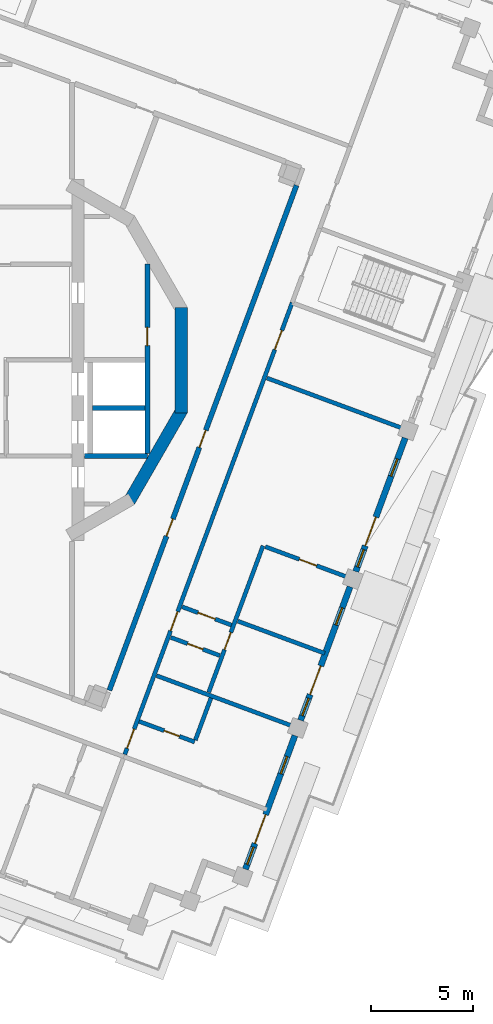
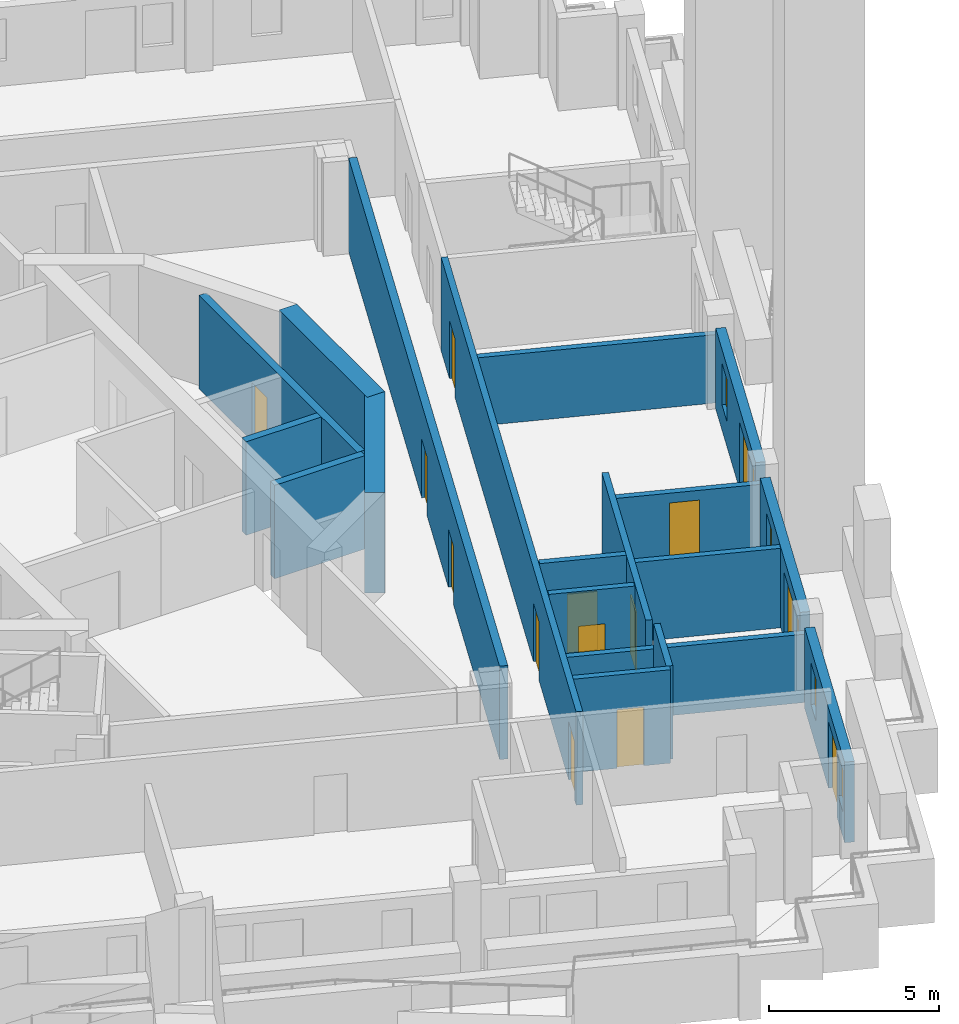
# One storey, part 5 of 20: 19 walls, 14 doors, 6 windows, 20 openings.
"""IFC4 building model written with IfcOpenShell, lengths in metres."""

import ifcopenshell
import ifcopenshell.guid

model = None  # the IFC model being written
_history = None  # IfcOwnerHistory: only IFC2X3 demands one
_inside = {}  # id of a spatial element -> (the spatial element, [elements in it])
_under = {}  # id of a project, library or spatial element -> (it, [spatial elements below it])
_declared = {}  # id of a project -> (the project, [libraries it declares])
_typed = {}  # id of a type object -> (the type object, [elements of that type])
_made_of = {}  # id of a material, layer set ... -> (it, [elements and type objects made of it])


def new_model(schema):
    """Start an empty IFC model of exactly this schema.

    Asked for "IFC4X3", IfcOpenShell would pick the latest addendum, in which some entities
    have other attributes; the version numbers below select the first issue.
    IFC2X3 requires an IfcOwnerHistory on every rooted entity: one is made here for all.
    """
    global model, _history
    if schema == "IFC4X3":
        model = ifcopenshell.file(schema_version=(4, 3, 0, 0))
    else:
        model = ifcopenshell.file(schema=schema)
    _inside.clear()
    _under.clear()
    _declared.clear()
    _typed.clear()
    _made_of.clear()
    _history = None
    if model.schema == "IFC2X3":
        org = make("IfcOrganization", Name="unknown")
        user = make(
            "IfcPersonAndOrganization",
            ThePerson=make("IfcPerson", FamilyName="unknown"),
            TheOrganization=org,
        )
        app = make(
            "IfcApplication",
            ApplicationDeveloper=org,
            Version="unknown",
            ApplicationFullName="unknown",
            ApplicationIdentifier="unknown",
        )
        _history = make(
            "IfcOwnerHistory",
            OwningUser=user,
            OwningApplication=app,
            ChangeAction="ADDED",
            CreationDate=0,
        )
    return model


def make(cls, **values):
    """One entity of the class cls with the attributes given. An attribute that is None is left unset."""
    return model.create_entity(
        cls, **{name: value for name, value in values.items() if value is not None}
    )


def rooted(cls, **values):
    """An entity with a GlobalId (a new one), such as an element, a storey or a relation."""
    return make(cls, GlobalId=ifcopenshell.guid.new(), OwnerHistory=_history, **values)


def si_unit(unit_type, name, prefix=None):
    """IfcSIUnit, for example si_unit("LENGTHUNIT", "METRE", prefix="MILLI")."""
    return make("IfcSIUnit", UnitType=unit_type, Prefix=prefix, Name=name)


def assignment(units):
    """IfcUnitAssignment: the units of a project."""
    return None if units is None else make("IfcUnitAssignment", Units=units)


def point(xyz):
    """IfcCartesianPoint."""
    return None if xyz is None else make("IfcCartesianPoint", Coordinates=xyz)


def direction(xyz):
    """IfcDirection."""
    return None if xyz is None else make("IfcDirection", DirectionRatios=xyz)


def frame(location, z_axis=None, x_axis=None):
    """IfcAxis2Placement3D, a coordinate frame: its origin and axes. An axis left out is left unset."""
    return make(
        "IfcAxis2Placement3D",
        Location=point(location),
        Axis=direction(z_axis),
        RefDirection=direction(x_axis),
    )


def frame_2d(location, x_axis=None):
    """IfcAxis2Placement2D, a coordinate frame in the plane: its origin and x axis."""
    return make(
        "IfcAxis2Placement2D", Location=point(location), RefDirection=direction(x_axis)
    )


def origin():
    """The frame at (0, 0, 0) with its axes left unset."""
    return frame((0.0, 0.0, 0.0))


def place(relative_to, where):
    """IfcLocalPlacement: puts the frame where relative to a parent placement (None: the world)."""
    return make(
        "IfcLocalPlacement", PlacementRelTo=relative_to, RelativePlacement=where
    )


def context(
    kind, dimensions, precision=None, world=None, true_north=None, identifier=None
):
    """IfcGeometricRepresentationContext, for example the 3D "Model" context."""
    return make(
        "IfcGeometricRepresentationContext",
        ContextIdentifier=identifier,
        ContextType=kind,
        CoordinateSpaceDimension=dimensions,
        Precision=precision,
        WorldCoordinateSystem=world,
        TrueNorth=true_north,
    )


def subcontext(parent, identifier, kind, view, scale=None):
    """IfcGeometricRepresentationSubContext, for example "Body" below "Model"."""
    return make(
        "IfcGeometricRepresentationSubContext",
        ContextIdentifier=identifier,
        ContextType=kind,
        ParentContext=parent,
        TargetScale=scale,
        TargetView=view,
    )


def project(units=None, contexts=None):
    """IfcProject with its units and contexts."""
    return rooted(
        "IfcProject",
        Name="project",
        RepresentationContexts=contexts,
        UnitsInContext=assignment(units),
    )


def spatial(cls, under=None, at=None, **own):
    """A site, building, storey or space (cls), placed at a placement, below another one or the project."""
    s = rooted(cls, ObjectPlacement=at, **own)
    if under is not None:
        _under.setdefault(under.id(), (under, []))[1].append(s)
    return s


def profile(cls, at=None, kind="AREA", **sizes):
    """A parametric profile (cls). Its sizes go by their IFC names, for example OverallWidth=200.0."""
    return make(cls, ProfileType=kind, Position=at, **sizes)


def rectangle(**sizes):
    """IfcRectangleProfileDef."""
    return profile("IfcRectangleProfileDef", **sizes)


def extrude(swept, where, along, depth):
    """IfcExtrudedAreaSolid: the profile swept, set in the frame where, extruded along a direction by depth."""
    return make(
        "IfcExtrudedAreaSolid",
        SweptArea=swept,
        Position=where,
        ExtrudedDirection=direction(along),
        Depth=depth,
    )


def shape(context_of_items, identifier, shape_type, items):
    """IfcShapeRepresentation: the items that make up one representation, for example the "Body"."""
    return make(
        "IfcShapeRepresentation",
        ContextOfItems=context_of_items,
        RepresentationIdentifier=identifier,
        RepresentationType=shape_type,
        Items=items,
    )


def material(Name=None, Category=None):
    """IfcMaterial."""
    return make("IfcMaterial", Name=Name, Category=Category)


def layer(
    of_material, thickness, ventilated=None, Name=None, Category=None, Priority=None
):
    """IfcMaterialLayer: one layer of a wall or slab, of a material (None: an air gap)."""
    return make(
        "IfcMaterialLayer",
        Material=of_material,
        LayerThickness=thickness,
        IsVentilated=ventilated,
        Name=Name,
        Category=Category,
        Priority=Priority,
    )


def layer_set(layers, Name=None):
    """IfcMaterialLayerSet."""
    return make("IfcMaterialLayerSet", MaterialLayers=layers, LayerSetName=Name)


def made_of(thing, what):
    """Note that an element or type object is made of a material, layer set ...; save() writes the relation."""
    if what is not None:
        _made_of.setdefault(what.id(), (what, []))[1].append(thing)
    return thing


def type_object(cls, material=None, **own):
    """A type object (cls), such as IfcWallType, which elements share."""
    return made_of(rooted(cls, **own), material)


def element(
    cls,
    number,
    at=None,
    inside=None,
    cuts=None,
    type_object=None,
    material=None,
    context=None,
    identifier="Body",
    shape_type=None,
    held_by="IfcProductDefinitionShape",
    body=None,
    shapes=None,
    **own,
):
    """One element of the class cls, such as IfcWall. Its Tag is "e" and its number.

    at: its placement. inside: the storey or other place that contains it. cuts: it is an
    opening in that element (IfcRelVoidsElement). A single representation is given by context,
    identifier, shape_type and body (its items); several are given by shapes. held_by: the class
    of the entity that holds the representations. save() writes the other relations.
    """
    e = rooted(cls, Tag="e%d" % number, ObjectPlacement=at, **own)
    if body is not None:
        shapes = [shape(context, identifier, shape_type, body)]
    if shapes is not None:
        e.Representation = make(held_by, Representations=shapes)
    if inside is not None:
        _inside.setdefault(inside.id(), (inside, []))[1].append(e)
    if cuts is not None:
        rooted(
            "IfcRelVoidsElement", RelatingBuildingElement=cuts, RelatedOpeningElement=e
        )
    if type_object is not None:
        _typed.setdefault(type_object.id(), (type_object, []))[1].append(e)
    return made_of(e, material)


def fill(opening, filler):
    """IfcRelFillsElement: the door or window that sits in an opening."""
    return rooted(
        "IfcRelFillsElement",
        RelatingOpeningElement=opening,
        RelatedBuildingElement=filler,
    )


def aggregate(whole, parts):
    """IfcRelAggregates: a whole, such as a stair, and the parts it consists of."""
    return rooted("IfcRelAggregates", RelatingObject=whole, RelatedObjects=parts)


def save(model, path):
    """Write the relations noted so far, then the file.

    IfcRelAggregates (storeys below a building ...), IfcRelContainedInSpatialStructure (elements
    in a storey), IfcRelDefinesByType, IfcRelAssociatesMaterial and IfcRelDeclares: one each for
    every whole, place, type object, material and project.
    """
    for whole, parts in _under.values():
        aggregate(whole, parts)
    for where, things in _inside.values():
        rooted(
            "IfcRelContainedInSpatialStructure",
            RelatedElements=things,
            RelatingStructure=where,
        )
    for kind, things in _typed.values():
        rooted("IfcRelDefinesByType", RelatedObjects=things, RelatingType=kind)
    for what, things in _made_of.values():
        rooted("IfcRelAssociatesMaterial", RelatedObjects=things, RelatingMaterial=what)
    for by, libraries in _declared.values():
        rooted("IfcRelDeclares", RelatingContext=by, RelatedDefinitions=libraries)
    model.write(path)


model = new_model("IFC4")

# Units and contexts
model_context = context("Model", 3, precision=1e-05, world=origin(), true_north=direction((0.0, 1.0)))
body_context = subcontext(model_context, "Body", "Model", "MODEL_VIEW")
ifc_project = project(units=[si_unit("LENGTHUNIT", "METRE"), si_unit("AREAUNIT", "SQUARE_METRE"), si_unit("VOLUMEUNIT", "CUBIC_METRE"), si_unit("PLANEANGLEUNIT", "RADIAN"), si_unit("MASSUNIT", "GRAM", prefix="KILO")], contexts=[model_context])

# Site, building, storey
site_placement = place(None, origin())
site = spatial("IfcSite", under=ifc_project, at=site_placement, CompositionType="ELEMENT")
building_placement = place(site_placement, origin())
building = spatial("IfcBuilding", under=site, at=building_placement, Name="Cantera Rosa Tower", CompositionType="ELEMENT")
storey_placement = place(building_placement, frame((0.0, 0.0, 306.10009765625)))
storey = spatial("IfcBuildingStorey", under=building, at=storey_placement, Name="L67", CompositionType="ELEMENT", Elevation=306.10009765625)

# Wall, openings, doors
ifc_material_1 = material(Name="Gypsum board partition")
ifc_layer_1 = layer(ifc_material_1, 0.199951171875)
ifc_layer_set_1 = layer_set([ifc_layer_1], Name="CORRIDOR WALL 200 H3350")
wall_type_1 = type_object("IfcWallType", Name="CORRIDOR WALL 200 H3350", PredefinedType="PARTITIONING", material=ifc_layer_set_1)
wall_1_placement = place(storey_placement, frame((6.595458984375, -19.326171875, 0.0), z_axis=(0.0, 0.0, 1.0), x_axis=(0.347482068394, 0.937686627901, 0.0)))
wall_1 = element("IfcWall", 1, at=wall_1_placement, inside=storey, type_object=wall_type_1, Name="CORRIDOR WALL L67-078", PredefinedType="PARTITIONING", context=body_context, shape_type="SweptSolid", body=[
    extrude(rectangle(XDim=23.610107421875, YDim=0.199951171875, at=frame_2d((11.80517578125, 0.0))), origin(), (0.0, 0.0, 1.0), 3.349853515625),
])
opening_1_placement = place(wall_1_placement, frame((6.4599609375, 0.0, 0.0)))
opening_1 = element("IfcOpeningElement", 2, at=opening_1_placement, cuts=wall_1, Name="Opening L67-031", PredefinedType="OPENING", context=body_context, shape_type="SweptSolid", body=[
    extrude(rectangle(XDim=1.0, YDim=2.10009765625, at=frame_2d((0.5, 1.050048828125))), frame((0.0, 0.10986328125, 0.0), z_axis=(0.0, -1.0, 0.0), x_axis=(1.0, 0.0, 0.0)), (0.0, 0.0, 1.0), 0.219970703125),
])
opening_2_placement = place(wall_1_placement, frame((21.1650390625, 0.0, 0.0)))
opening_2 = element("IfcOpeningElement", 3, at=opening_2_placement, cuts=wall_1, Name="Opening L67-036", PredefinedType="OPENING", context=body_context, shape_type="SweptSolid", body=[
    extrude(rectangle(XDim=1.0, YDim=2.10009765625, at=frame_2d((0.5, 1.050048828125))), frame((0.0, 0.10986328125, 0.0), z_axis=(0.0, -1.0, 0.0), x_axis=(1.0, 0.0, 0.0)), (0.0, 0.0, 1.0), 0.219970703125),
])
opening_3_placement = place(wall_1_placement, frame((0.320068359375, 0.0, 0.0)))
opening_3 = element("IfcOpeningElement", 4, at=opening_3_placement, cuts=wall_1, Name="Opening L67-037", PredefinedType="OPENING", context=body_context, shape_type="SweptSolid", body=[
    extrude(rectangle(XDim=1.0, YDim=2.10009765625, at=frame_2d((0.5, 1.050048828125))), frame((0.0, 0.10986328125, 0.0), z_axis=(0.0, -1.0, 0.0), x_axis=(1.0, 0.0, 0.0)), (0.0, 0.0, 1.0), 0.219970703125),
])
ifc_material_2 = material(Name="Timber door leaf", Category="wood")
door_type_1 = type_object("IfcDoorType", Name="ENTRANCE DOOR 1000x2100", OperationType="NOTDEFINED", PredefinedType="DOOR", material=ifc_material_2)
door_1_placement = place(opening_1_placement, origin())
door_1 = element("IfcDoor", 5, at=door_1_placement, inside=storey, type_object=door_type_1, Name="DOOR L67-031", OperationType="NOTDEFINED", OverallHeight=2.10009765625, OverallWidth=1.0, PredefinedType="DOOR", context=body_context, shape_type="SweptSolid", body=[
    extrude(rectangle(XDim=1.0, YDim=2.10009765625, at=frame_2d((0.5, 1.050048828125))), frame((0.0, 0.02490234375, 0.0), z_axis=(0.0, -1.0, 0.0), x_axis=(1.0, 0.0, 0.0)), (0.0, 0.0, 1.0), 0.050048828125),
])
fill(opening_1, door_1)
door_2_placement = place(opening_3_placement, origin())
door_2 = element("IfcDoor", 6, at=door_2_placement, inside=storey, type_object=door_type_1, Name="DOOR L67-037", OperationType="NOTDEFINED", OverallHeight=2.10009765625, OverallWidth=1.0, PredefinedType="DOOR", context=body_context, shape_type="SweptSolid", body=[
    extrude(rectangle(XDim=1.0, YDim=2.10009765625, at=frame_2d((0.5, 1.050048828125))), frame((0.0, 0.02490234375, 0.0), z_axis=(0.0, -1.0, 0.0), x_axis=(1.0, 0.0, 0.0)), (0.0, 0.0, 1.0), 0.050048828125),
])
fill(opening_3, door_2)
ifc_material_3 = material(Name="Timber door leaf", Category="wood")
door_type_2 = type_object("IfcDoorType", Name="ROOM DOOR 1000x2100", OperationType="NOTDEFINED", PredefinedType="DOOR", material=ifc_material_3)
door_3_placement = place(opening_2_placement, origin())
door_3 = element("IfcDoor", 7, at=door_3_placement, inside=storey, type_object=door_type_2, Name="DOOR L67-036", OperationType="NOTDEFINED", OverallHeight=2.10009765625, OverallWidth=1.0, PredefinedType="DOOR", context=body_context, shape_type="SweptSolid", body=[
    extrude(rectangle(XDim=1.0, YDim=2.10009765625, at=frame_2d((0.5, 1.050048828125))), frame((0.0, 0.02490234375, 0.0), z_axis=(0.0, -1.0, 0.0), x_axis=(1.0, 0.0, 0.0)), (0.0, 0.0, 1.0), 0.050048828125),
])
fill(opening_2, door_3)

# Wall, openings, windows, door
ifc_material_4 = material(Name="Hollow clay masonry with cantera stone cladding", Category="masonry")
ifc_layer_2 = layer(ifc_material_4, 0.300048828125)
ifc_layer_set_2 = layer_set([ifc_layer_2], Name="EW-LOGGIA 300 H2890")
wall_type_2 = type_object("IfcWallType", Name="EW-LOGGIA 300 H2890", PredefinedType="SOLIDWALL", material=ifc_layer_set_2)
wall_2_placement = place(storey_placement, frame((12.50927734375, -24.95166015625, 0.0), z_axis=(0.0, 0.0, 1.0), x_axis=(0.347490919506, 0.937683347864, 0.0)))
wall_2 = element("IfcWall", 8, at=wall_2_placement, inside=storey, type_object=wall_type_2, Name="EN-L67-W20", PredefinedType="SOLIDWALL", context=body_context, shape_type="SweptSolid", body=[
    extrude(rectangle(XDim=6.980224609375, YDim=0.300048828125, at=frame_2d((3.490234375, 0.0))), origin(), (0.0, 0.0, 1.0), 2.889892578125),
])
opening_4_placement = place(wall_2_placement, frame((0.2451171875, 0.0, 0.89990234375)))
opening_4 = element("IfcOpeningElement", 9, at=opening_4_placement, cuts=wall_2, Name="Opening L67-W34", PredefinedType="OPENING", context=body_context, shape_type="SweptSolid", body=[
    extrude(rectangle(XDim=0.89990234375, YDim=1.5, at=frame_2d((0.449951171875, 0.75))), frame((0.0, 0.159912109375, 0.0), z_axis=(0.0, -1.0, 0.0), x_axis=(1.0, 0.0, 0.0)), (0.0, 0.0, 1.0), 0.320068359375),
])
opening_5_placement = place(wall_2_placement, frame((1.344970703125, 0.0, 0.0)))
opening_5 = element("IfcOpeningElement", 10, at=opening_5_placement, cuts=wall_2, Name="Opening L67-TD35", PredefinedType="OPENING", context=body_context, shape_type="SweptSolid", body=[
    extrude(rectangle(XDim=1.5, YDim=2.39990234375, at=frame_2d((0.75, 1.199951171875))), frame((0.0, 0.159912109375, 0.0), z_axis=(0.0, -1.0, 0.0), x_axis=(1.0, 0.0, 0.0)), (0.0, 0.0, 1.0), 0.320068359375),
])
opening_6_placement = place(wall_2_placement, frame((4.985107421875, 0.0, 0.89990234375)))
opening_6 = element("IfcOpeningElement", 11, at=opening_6_placement, cuts=wall_2, Name="Opening L67-W36", PredefinedType="OPENING", context=body_context, shape_type="SweptSolid", body=[
    extrude(rectangle(XDim=0.89990234375, YDim=1.5, at=frame_2d((0.449951171875, 0.75))), frame((0.0, 0.159912109375, 0.0), z_axis=(0.0, -1.0, 0.0), x_axis=(1.0, 0.0, 0.0)), (0.0, 0.0, 1.0), 0.320068359375),
])
ifc_material_5 = material(Name="Aluminium frame with clear glass", Category="aluminium")
window_type = type_object("IfcWindowType", Name="Residential window 900x1500", PartitioningType="SINGLE_PANEL", PredefinedType="WINDOW", material=ifc_material_5)
window_1_placement = place(opening_4_placement, origin())
window_1 = element("IfcWindow", 12, at=window_1_placement, inside=storey, type_object=window_type, Name="WINDOW L67-W34", OverallHeight=1.5, OverallWidth=0.89990234375, PartitioningType="SINGLE_PANEL", PredefinedType="WINDOW", context=body_context, shape_type="SweptSolid", body=[
    extrude(rectangle(XDim=0.89990234375, YDim=1.5, at=frame_2d((0.449951171875, 0.75))), frame((0.0, 0.030029296875, 0.0), z_axis=(0.0, -1.0, 0.0), x_axis=(1.0, 0.0, 0.0)), (0.0, 0.0, 1.0), 0.06005859375),
])
fill(opening_4, window_1)
window_2_placement = place(opening_6_placement, origin())
window_2 = element("IfcWindow", 13, at=window_2_placement, inside=storey, type_object=window_type, Name="WINDOW L67-W36", OverallHeight=1.5, OverallWidth=0.89990234375, PartitioningType="SINGLE_PANEL", PredefinedType="WINDOW", context=body_context, shape_type="SweptSolid", body=[
    extrude(rectangle(XDim=0.89990234375, YDim=1.5, at=frame_2d((0.449951171875, 0.75))), frame((0.0, 0.030029296875, 0.0), z_axis=(0.0, -1.0, 0.0), x_axis=(1.0, 0.0, 0.0)), (0.0, 0.0, 1.0), 0.06005859375),
])
fill(opening_6, window_2)
ifc_material_6 = material(Name="Aluminium frame with clear glass", Category="aluminium")
door_type_3 = type_object("IfcDoorType", Name="TD-R 1500x2400", OperationType="NOTDEFINED", PredefinedType="DOOR", material=ifc_material_6)
door_4_placement = place(opening_5_placement, origin())
door_4 = element("IfcDoor", 14, at=door_4_placement, inside=storey, type_object=door_type_3, Name="LOGGIA DOOR L67-TD35", OperationType="SLIDING_TO_LEFT", OverallHeight=2.39990234375, OverallWidth=1.5, PredefinedType="DOOR", context=body_context, shape_type="SweptSolid", body=[
    extrude(rectangle(XDim=1.5, YDim=2.39990234375, at=frame_2d((0.75, 1.199951171875))), frame((0.0, 0.02490234375, 0.0), z_axis=(0.0, -1.0, 0.0), x_axis=(1.0, 0.0, 0.0)), (0.0, 0.0, 1.0), 0.050048828125),
])
fill(opening_5, door_4)

wall_3_placement = place(storey_placement, frame((15.212646484375, -17.65625, 0.0), z_axis=(0.0, 0.0, 1.0), x_axis=(0.347502316452, 0.937679124253, 0.0)))
wall_3 = element("IfcWall", 15, at=wall_3_placement, inside=storey, type_object=wall_type_2, Name="EN-L67-W21", PredefinedType="SOLIDWALL", context=body_context, shape_type="SweptSolid", body=[
    extrude(rectangle(XDim=6.97998046875, YDim=0.300048828125, at=frame_2d((3.489990234375, 0.0))), origin(), (0.0, 0.0, 1.0), 2.889892578125),
])
opening_7_placement = place(wall_3_placement, frame((0.2451171875, 0.0, 0.89990234375)))
opening_7 = element("IfcOpeningElement", 16, at=opening_7_placement, cuts=wall_3, Name="Opening L67-W37", PredefinedType="OPENING", context=body_context, shape_type="SweptSolid", body=[
    extrude(rectangle(XDim=0.89990234375, YDim=1.5, at=frame_2d((0.449951171875, 0.75))), frame((0.0, 0.159912109375, 0.0), z_axis=(0.0, -1.0, 0.0), x_axis=(1.0, 0.0, 0.0)), (0.0, 0.0, 1.0), 0.320068359375),
])
opening_8_placement = place(wall_3_placement, frame((1.344970703125, 0.0, 0.0)))
opening_8 = element("IfcOpeningElement", 17, at=opening_8_placement, cuts=wall_3, Name="Opening L67-TD38", PredefinedType="OPENING", context=body_context, shape_type="SweptSolid", body=[
    extrude(rectangle(XDim=1.5, YDim=2.39990234375, at=frame_2d((0.75, 1.199951171875))), frame((0.0, 0.159912109375, 0.0), z_axis=(0.0, -1.0, 0.0), x_axis=(1.0, 0.0, 0.0)), (0.0, 0.0, 1.0), 0.320068359375),
])
opening_9_placement = place(wall_3_placement, frame((4.985107421875, 0.0, 0.89990234375)))
opening_9 = element("IfcOpeningElement", 18, at=opening_9_placement, cuts=wall_3, Name="Opening L67-W39", PredefinedType="OPENING", context=body_context, shape_type="SweptSolid", body=[
    extrude(rectangle(XDim=0.89990234375, YDim=1.5, at=frame_2d((0.449951171875, 0.75))), frame((0.0, 0.159912109375, 0.0), z_axis=(0.0, -1.0, 0.0), x_axis=(1.0, 0.0, 0.0)), (0.0, 0.0, 1.0), 0.320068359375),
])
window_3_placement = place(opening_7_placement, origin())
window_3 = element("IfcWindow", 19, at=window_3_placement, inside=storey, type_object=window_type, Name="WINDOW L67-W37", OverallHeight=1.5, OverallWidth=0.89990234375, PartitioningType="SINGLE_PANEL", PredefinedType="WINDOW", context=body_context, shape_type="SweptSolid", body=[
    extrude(rectangle(XDim=0.89990234375, YDim=1.5, at=frame_2d((0.449951171875, 0.75))), frame((0.0, 0.030029296875, 0.0), z_axis=(0.0, -1.0, 0.0), x_axis=(1.0, 0.0, 0.0)), (0.0, 0.0, 1.0), 0.06005859375),
])
fill(opening_7, window_3)
window_4_placement = place(opening_9_placement, origin())
window_4 = element("IfcWindow", 20, at=window_4_placement, inside=storey, type_object=window_type, Name="WINDOW L67-W39", OverallHeight=1.5, OverallWidth=0.89990234375, PartitioningType="SINGLE_PANEL", PredefinedType="WINDOW", context=body_context, shape_type="SweptSolid", body=[
    extrude(rectangle(XDim=0.89990234375, YDim=1.5, at=frame_2d((0.449951171875, 0.75))), frame((0.0, 0.030029296875, 0.0), z_axis=(0.0, -1.0, 0.0), x_axis=(1.0, 0.0, 0.0)), (0.0, 0.0, 1.0), 0.06005859375),
])
fill(opening_9, window_4)
door_5_placement = place(opening_8_placement, origin())
door_5 = element("IfcDoor", 21, at=door_5_placement, inside=storey, type_object=door_type_3, Name="LOGGIA DOOR L67-TD38", OperationType="SLIDING_TO_LEFT", OverallHeight=2.39990234375, OverallWidth=1.5, PredefinedType="DOOR", context=body_context, shape_type="SweptSolid", body=[
    extrude(rectangle(XDim=1.5, YDim=2.39990234375, at=frame_2d((0.75, 1.199951171875))), frame((0.0, 0.02490234375, 0.0), z_axis=(0.0, -1.0, 0.0), x_axis=(1.0, 0.0, 0.0)), (0.0, 0.0, 1.0), 0.050048828125),
])
fill(opening_8, door_5)

wall_4_placement = place(storey_placement, frame((17.916015625, -10.361083984375, 0.0), z_axis=(0.0, 0.0, 1.0), x_axis=(0.347502316452, 0.937679124253, 0.0)))
wall_4 = element("IfcWall", 22, at=wall_4_placement, inside=storey, type_object=wall_type_2, Name="EN-L67-W22", PredefinedType="SOLIDWALL", context=body_context, shape_type="SweptSolid", body=[
    extrude(rectangle(XDim=6.97998046875, YDim=0.300048828125, at=frame_2d((3.489990234375, 0.0))), origin(), (0.0, 0.0, 1.0), 2.889892578125),
])
opening_10_placement = place(wall_4_placement, frame((0.2451171875, 0.0, 0.89990234375)))
opening_10 = element("IfcOpeningElement", 23, at=opening_10_placement, cuts=wall_4, Name="Opening L67-W40", PredefinedType="OPENING", context=body_context, shape_type="SweptSolid", body=[
    extrude(rectangle(XDim=0.89990234375, YDim=1.5, at=frame_2d((0.449951171875, 0.75))), frame((0.0, 0.159912109375, 0.0), z_axis=(0.0, -1.0, 0.0), x_axis=(1.0, 0.0, 0.0)), (0.0, 0.0, 1.0), 0.320068359375),
])
opening_11_placement = place(wall_4_placement, frame((1.344970703125, 0.0, 0.0)))
opening_11 = element("IfcOpeningElement", 24, at=opening_11_placement, cuts=wall_4, Name="Opening L67-TD41", PredefinedType="OPENING", context=body_context, shape_type="SweptSolid", body=[
    extrude(rectangle(XDim=1.5, YDim=2.39990234375, at=frame_2d((0.75, 1.199951171875))), frame((0.0, 0.159912109375, 0.0), z_axis=(0.0, -1.0, 0.0), x_axis=(1.0, 0.0, 0.0)), (0.0, 0.0, 1.0), 0.320068359375),
])
opening_12_placement = place(wall_4_placement, frame((4.985107421875, 0.0, 0.89990234375)))
opening_12 = element("IfcOpeningElement", 25, at=opening_12_placement, cuts=wall_4, Name="Opening L67-W42", PredefinedType="OPENING", context=body_context, shape_type="SweptSolid", body=[
    extrude(rectangle(XDim=0.89990234375, YDim=1.5, at=frame_2d((0.449951171875, 0.75))), frame((0.0, 0.159912109375, 0.0), z_axis=(0.0, -1.0, 0.0), x_axis=(1.0, 0.0, 0.0)), (0.0, 0.0, 1.0), 0.320068359375),
])
window_5_placement = place(opening_10_placement, origin())
window_5 = element("IfcWindow", 26, at=window_5_placement, inside=storey, type_object=window_type, Name="WINDOW L67-W40", OverallHeight=1.5, OverallWidth=0.89990234375, PartitioningType="SINGLE_PANEL", PredefinedType="WINDOW", context=body_context, shape_type="SweptSolid", body=[
    extrude(rectangle(XDim=0.89990234375, YDim=1.5, at=frame_2d((0.449951171875, 0.75))), frame((0.0, 0.030029296875, 0.0), z_axis=(0.0, -1.0, 0.0), x_axis=(1.0, 0.0, 0.0)), (0.0, 0.0, 1.0), 0.06005859375),
])
fill(opening_10, window_5)
window_6_placement = place(opening_12_placement, origin())
window_6 = element("IfcWindow", 27, at=window_6_placement, inside=storey, type_object=window_type, Name="WINDOW L67-W42", OverallHeight=1.5, OverallWidth=0.89990234375, PartitioningType="SINGLE_PANEL", PredefinedType="WINDOW", context=body_context, shape_type="SweptSolid", body=[
    extrude(rectangle(XDim=0.89990234375, YDim=1.5, at=frame_2d((0.449951171875, 0.75))), frame((0.0, 0.030029296875, 0.0), z_axis=(0.0, -1.0, 0.0), x_axis=(1.0, 0.0, 0.0)), (0.0, 0.0, 1.0), 0.06005859375),
])
fill(opening_12, window_6)
door_6_placement = place(opening_11_placement, origin())
door_6 = element("IfcDoor", 28, at=door_6_placement, inside=storey, type_object=door_type_3, Name="LOGGIA DOOR L67-TD41", OperationType="SLIDING_TO_LEFT", OverallHeight=2.39990234375, OverallWidth=1.5, PredefinedType="DOOR", context=body_context, shape_type="SweptSolid", body=[
    extrude(rectangle(XDim=1.5, YDim=2.39990234375, at=frame_2d((0.75, 1.199951171875))), frame((0.0, 0.02490234375, 0.0), z_axis=(0.0, -1.0, 0.0), x_axis=(1.0, 0.0, 0.0)), (0.0, 0.0, 1.0), 0.050048828125),
])
fill(opening_11, door_6)

# Wall, opening, door
ifc_material_7 = material(Name="Gypsum board partition")
ifc_layer_3 = layer(ifc_material_7, 0.199951171875)
ifc_layer_set_3 = layer_set([ifc_layer_3], Name="PARTITION 200 H2450")
wall_type_3 = type_object("IfcWallType", Name="PARTITION 200 H2450", PredefinedType="PARTITIONING", material=ifc_layer_set_3)
wall_5_placement = place(storey_placement, frame((13.482421875, -9.144775390625, 0.0), z_axis=(0.0, 0.0, 1.0), x_axis=(0.937689201273, -0.347475124024, 0.0)))
wall_5 = element("IfcWall", 29, at=wall_5_placement, inside=storey, type_object=wall_type_3, Name="PARTITION L67-088", PredefinedType="PARTITIONING", context=body_context, shape_type="SweptSolid", body=[
    extrude(rectangle(XDim=4.550048828125, YDim=0.199951171875, at=frame_2d((2.27490234375, 0.0))), origin(), (0.0, 0.0, 1.0), 2.449951171875),
])
opening_13_placement = place(wall_5_placement, frame((1.780029296875, 0.0, 0.0)))
opening_13 = element("IfcOpeningElement", 30, at=opening_13_placement, cuts=wall_5, Name="Opening L67-035", PredefinedType="OPENING", context=body_context, shape_type="SweptSolid", body=[
    extrude(rectangle(XDim=0.89990234375, YDim=2.10009765625, at=frame_2d((0.449951171875, 1.050048828125))), frame((0.0, 0.10986328125, 0.0), z_axis=(0.0, -1.0, 0.0), x_axis=(1.0, 0.0, 0.0)), (0.0, 0.0, 1.0), 0.219970703125),
])
ifc_material_8 = material(Name="Timber door leaf", Category="wood")
door_type_4 = type_object("IfcDoorType", Name="ROOM DOOR 900x2100", OperationType="NOTDEFINED", PredefinedType="DOOR", material=ifc_material_8)
door_7_placement = place(opening_13_placement, origin())
door_7 = element("IfcDoor", 31, at=door_7_placement, inside=storey, type_object=door_type_4, Name="DOOR L67-035", OperationType="NOTDEFINED", OverallHeight=2.10009765625, OverallWidth=0.89990234375, PredefinedType="DOOR", context=body_context, shape_type="SweptSolid", body=[
    extrude(rectangle(XDim=0.89990234375, YDim=2.10009765625, at=frame_2d((0.449951171875, 1.050048828125))), frame((0.0, 0.02490234375, 0.0), z_axis=(0.0, -1.0, 0.0), x_axis=(1.0, 0.0, 0.0)), (0.0, 0.0, 1.0), 0.050048828125),
])
fill(opening_13, door_7)

# Wall
ifc_material_9 = material(Name="Gypsum board partition")
ifc_layer_4 = layer(ifc_material_9, 0.199951171875)
ifc_layer_set_4 = layer_set([ifc_layer_4], Name="PARTITION 200 H2850")
wall_type_4 = type_object("IfcWallType", Name="PARTITION 200 H2850", PredefinedType="PARTITIONING", material=ifc_layer_set_4)
wall_6_placement = place(storey_placement, frame((12.130859375, -12.79248046875, 0.0), z_axis=(0.0, 0.0, 1.0), x_axis=(0.937700205551, -0.347445426663, 0.0)))
element("IfcWall", 32, at=wall_6_placement, inside=storey, type_object=wall_type_4, Name="PARTITION L67-087", PredefinedType="PARTITIONING", context=body_context, shape_type="SweptSolid", body=[
    extrude(rectangle(XDim=4.5498046875, YDim=0.199951171875, at=frame_2d((2.27490234375, 0.0))), origin(), (0.0, 0.0, 1.0), 2.849853515625),
])

# Wall, opening, door
ifc_material_10 = material(Name="Gypsum board partition")
ifc_layer_5 = layer(ifc_material_10, 0.199951171875)
ifc_layer_set_5 = layer_set([ifc_layer_5], Name="PARTITION 200 H3350")
wall_type_5 = type_object("IfcWallType", Name="PARTITION 200 H3350", PredefinedType="PARTITIONING", material=ifc_layer_set_5)
wall_7_placement = place(storey_placement, frame((8.848388671875, -13.591552734375, 0.0), z_axis=(0.0, 0.0, 1.0), x_axis=(0.937682025422, -0.347494488014, 0.0)))
wall_7 = element("IfcWall", 33, at=wall_7_placement, inside=storey, type_object=wall_type_5, Name="PARTITION L67-082", PredefinedType="PARTITIONING", context=body_context, shape_type="SweptSolid", body=[
    extrude(rectangle(XDim=2.56005859375, YDim=0.199951171875, at=frame_2d((1.280029296875, 0.0))), origin(), (0.0, 0.0, 1.0), 3.349853515625),
])
opening_14_placement = place(wall_7_placement, frame((0.8798828125, 0.0, 0.0)))
opening_14 = element("IfcOpeningElement", 34, at=opening_14_placement, cuts=wall_7, Name="Opening L67-032", PredefinedType="OPENING", context=body_context, shape_type="SweptSolid", body=[
    extrude(rectangle(XDim=0.800048828125, YDim=2.10009765625, at=frame_2d((0.39990234375, 1.050048828125))), frame((0.0, 0.10986328125, 0.0), z_axis=(0.0, -1.0, 0.0), x_axis=(1.0, 0.0, 0.0)), (0.0, 0.0, 1.0), 0.219970703125),
])
ifc_material_11 = material(Name="Timber door leaf", Category="wood")
door_type_5 = type_object("IfcDoorType", Name="BATHROOM DOOR 800x2100", OperationType="NOTDEFINED", PredefinedType="DOOR", material=ifc_material_11)
door_8_placement = place(opening_14_placement, origin())
door_8 = element("IfcDoor", 35, at=door_8_placement, inside=storey, type_object=door_type_5, Name="DOOR L67-032", OperationType="NOTDEFINED", OverallHeight=2.10009765625, OverallWidth=0.800048828125, PredefinedType="DOOR", context=body_context, shape_type="SweptSolid", body=[
    extrude(rectangle(XDim=0.800048828125, YDim=2.10009765625, at=frame_2d((0.39990234375, 1.050048828125))), frame((0.0, 0.02490234375, 0.0), z_axis=(0.0, -1.0, 0.0), x_axis=(1.0, 0.0, 0.0)), (0.0, 0.0, 1.0), 0.050048828125),
])
fill(opening_14, door_8)

wall_8_placement = place(storey_placement, frame((9.404541015625, -12.09130859375, 0.0), z_axis=(0.0, 0.0, 1.0), x_axis=(0.937687105286, -0.34748078016, 0.0)))
wall_8 = element("IfcWall", 36, at=wall_8_placement, inside=storey, type_object=wall_type_5, Name="PARTITION L67-083", PredefinedType="PARTITIONING", context=body_context, shape_type="SweptSolid", body=[
    extrude(rectangle(XDim=2.579833984375, YDim=0.199951171875, at=frame_2d((1.2900390625, 0.0))), origin(), (0.0, 0.0, 1.0), 3.349853515625),
])
opening_15_placement = place(wall_8_placement, frame((0.830078125, 0.0, 0.0)))
opening_15 = element("IfcOpeningElement", 37, at=opening_15_placement, cuts=wall_8, Name="Opening L67-033", PredefinedType="OPENING", context=body_context, shape_type="SweptSolid", body=[
    extrude(rectangle(XDim=0.89990234375, YDim=2.10009765625, at=frame_2d((0.449951171875, 1.050048828125))), frame((0.0, 0.10986328125, 0.0), z_axis=(0.0, -1.0, 0.0), x_axis=(1.0, 0.0, 0.0)), (0.0, 0.0, 1.0), 0.219970703125),
])
door_9_placement = place(opening_15_placement, origin())
door_9 = element("IfcDoor", 38, at=door_9_placement, inside=storey, type_object=door_type_4, Name="DOOR L67-033", OperationType="NOTDEFINED", OverallHeight=2.10009765625, OverallWidth=0.89990234375, PredefinedType="DOOR", context=body_context, shape_type="SweptSolid", body=[
    extrude(rectangle(XDim=0.89990234375, YDim=2.10009765625, at=frame_2d((0.449951171875, 1.050048828125))), frame((0.0, 0.02490234375, 0.0), z_axis=(0.0, -1.0, 0.0), x_axis=(1.0, 0.0, 0.0)), (0.0, 0.0, 1.0), 0.050048828125),
])
fill(opening_15, door_9)

wall_9_placement = place(storey_placement, frame((10.020263671875, -18.71826171875, 0.0), z_axis=(0.0, 0.0, 1.0), x_axis=(-0.937681724156, 0.347495300953, 0.0)))
wall_9 = element("IfcWall", 39, at=wall_9_placement, inside=storey, type_object=wall_type_5, Name="PARTITION L67-084", PredefinedType="PARTITIONING", context=body_context, shape_type="SweptSolid", body=[
    extrude(rectangle(XDim=2.900146484375, YDim=0.199951171875, at=frame_2d((1.4501953125, 0.0))), origin(), (0.0, 0.0, 1.0), 3.349853515625),
])
opening_16_placement = place(wall_9_placement, frame((0.800048828125, 0.0, 0.0)))
opening_16 = element("IfcOpeningElement", 40, at=opening_16_placement, cuts=wall_9, Name="Opening L67-038", PredefinedType="OPENING", context=body_context, shape_type="SweptSolid", body=[
    extrude(rectangle(XDim=0.800048828125, YDim=2.10009765625, at=frame_2d((0.39990234375, 1.050048828125))), frame((0.0, 0.10986328125, 0.0), z_axis=(0.0, -1.0, 0.0), x_axis=(1.0, 0.0, 0.0)), (0.0, 0.0, 1.0), 0.219970703125),
])
door_10_placement = place(opening_16_placement, origin())
door_10 = element("IfcDoor", 41, at=door_10_placement, inside=storey, type_object=door_type_5, Name="DOOR L67-038", OperationType="NOTDEFINED", OverallHeight=2.10009765625, OverallWidth=0.800048828125, PredefinedType="DOOR", context=body_context, shape_type="SweptSolid", body=[
    extrude(rectangle(XDim=0.800048828125, YDim=2.10009765625, at=frame_2d((0.39990234375, 1.050048828125))), frame((0.0, 0.02490234375, 0.0), z_axis=(0.0, -1.0, 0.0), x_axis=(1.0, 0.0, 0.0)), (0.0, 0.0, 1.0), 0.050048828125),
])
fill(opening_16, door_10)

wall_10_placement = place(storey_placement, frame((10.708251953125, -16.28564453125, 0.0), z_axis=(0.0, 0.0, 1.0), x_axis=(0.347502237007, 0.937679153696, 0.0)))
wall_10 = element("IfcWall", 42, at=wall_10_placement, inside=storey, type_object=wall_type_5, Name="PARTITION L67-085", PredefinedType="PARTITIONING", context=body_context, shape_type="SweptSolid", body=[
    extrude(rectangle(XDim=7.659912109375, YDim=0.199951171875, at=frame_2d((3.830078125, 0.0))), origin(), (0.0, 0.0, 1.0), 3.349853515625),
])
opening_17_placement = place(wall_10_placement, frame((2.22998046875, 0.0, 0.0)))
opening_17 = element("IfcOpeningElement", 43, at=opening_17_placement, cuts=wall_10, Name="Opening L67-034", PredefinedType="OPENING", context=body_context, shape_type="SweptSolid", body=[
    extrude(rectangle(XDim=0.89990234375, YDim=2.10009765625, at=frame_2d((0.449951171875, 1.050048828125))), frame((0.0, 0.10986328125, 0.0), z_axis=(0.0, -1.0, 0.0), x_axis=(1.0, 0.0, 0.0)), (0.0, 0.0, 1.0), 0.219970703125),
])
door_11_placement = place(opening_17_placement, origin())
door_11 = element("IfcDoor", 44, at=door_11_placement, inside=storey, type_object=door_type_4, Name="DOOR L67-034", OperationType="NOTDEFINED", OverallHeight=2.10009765625, OverallWidth=0.89990234375, PredefinedType="DOOR", context=body_context, shape_type="SweptSolid", body=[
    extrude(rectangle(XDim=0.89990234375, YDim=2.10009765625, at=frame_2d((0.449951171875, 1.050048828125))), frame((0.0, 0.02490234375, 0.0), z_axis=(0.0, -1.0, 0.0), x_axis=(1.0, 0.0, 0.0)), (0.0, 0.0, 1.0), 0.050048828125),
])
fill(opening_17, door_11)

# Walls
wall_11_placement = place(storey_placement, frame((10.8193359375, -16.5615234375, 0.0), z_axis=(0.0, 0.0, 1.0), x_axis=(-0.347448078893, -0.937699222818, 0.0)))
element("IfcWall", 45, at=wall_11_placement, inside=storey, type_object=wall_type_5, Name="PARTITION L67-086", PredefinedType="PARTITIONING", context=body_context, shape_type="SweptSolid", body=[
    extrude(rectangle(XDim=2.199951171875, YDim=0.199951171875, at=frame_2d((1.10009765625, 0.0))), origin(), (0.0, 0.0, 1.0), 3.349853515625),
])
ifc_material_12 = material(Name="Gypsum board partition")
ifc_layer_6 = layer(ifc_material_12, 0.199951171875)
ifc_layer_set_6 = layer_set([ifc_layer_6], Name="PARTY WALL 200 H2450")
wall_type_6 = type_object("IfcWallType", Name="PARTY WALL 200 H2450", PredefinedType="PARTITIONING", material=ifc_layer_set_6)
for number, where, z_axis, x_axis, name in (
    (46, (13.560302734375, -0.876708984375, 0.0), (0.0, 0.0, 1.0), (0.937689847803, -0.347473379308, 0.0), "PARTY WALL L67-089"),
    (47, (15.045654296875, -18.02099609375, 0.0), (0.0, 0.0, 1.0), (-0.937689847803, 0.347473379308, 0.0), "PARTY WALL L67-095"),
):
    element("IfcWall", number, at=place(storey_placement, frame(where, z_axis=z_axis, x_axis=x_axis)), inside=storey, type_object=wall_type_6, Name=name, PredefinedType="PARTITIONING", context=body_context, shape_type="SweptSolid", body=[
        extrude(rectangle(XDim=7.35009765625, YDim=0.199951171875, at=frame_2d((3.675048828125, 0.0))), origin(), (0.0, 0.0, 1.0), 2.449951171875),
    ])
ifc_material_13 = material(Name="Concrete C50/60", Category="concrete")
ifc_layer_7 = layer(ifc_material_13, 0.60009765625)
ifc_layer_set_7 = layer_set([ifc_layer_7], Name="RC CORE WALL 600 C50/60")
wall_type_7 = type_object("IfcWallType", Name="RC CORE WALL 600 C50/60", PredefinedType="SHEAR", material=ifc_layer_set_7)
for number, where, z_axis, x_axis, name in (
    (48, (9.359375, 2.588134765625, 0.0), (0.0, 0.0, 1.0), (0.0, -1.0, 0.0), "CW-E3 L67"),
    (49, (9.3994140625, -2.438232421875, 0.0), (0.0, 0.0, 1.0), (-0.499989188378, -0.866031645787, 0.0), "CW-E4 L67"),
):
    element("IfcWall", number, at=place(storey_placement, frame(where, z_axis=z_axis, x_axis=x_axis)), inside=storey, type_object=wall_type_7, Name=name, PredefinedType="SHEAR", context=body_context, shape_type="SweptSolid", body=[
        extrude(rectangle(XDim=5.17626953125, YDim=0.60009765625, at=frame_2d((2.588134765625, 0.0))), origin(), (0.0, 0.0, 1.0), 3.599853515625),
    ])

# Wall, openings, doors
ifc_material_14 = material(Name="Masonry blockwork", Category="masonry")
ifc_layer_8 = layer(ifc_material_14, 0.25)
ifc_layer_set_8 = layer_set([ifc_layer_8], Name="SHAFT WALL 250 H3350")
wall_type_8 = type_object("IfcWallType", Name="SHAFT WALL 250 H3350", PredefinedType="SOLIDWALL", material=ifc_layer_set_8)
wall_12_placement = place(storey_placement, frame((5.8388671875, -16.1875, 0.0), z_axis=(0.0, 0.0, 1.0), x_axis=(0.347484524478, 0.937685717737, 0.0)))
wall_12 = element("IfcWall", 50, at=wall_12_placement, inside=storey, type_object=wall_type_8, Name="SHAFT WALL L67-074", PredefinedType="SOLIDWALL", context=body_context, shape_type="SweptSolid", body=[
    extrude(rectangle(XDim=26.39990234375, YDim=0.25, at=frame_2d((13.199951171875, 0.0))), origin(), (0.0, 0.0, 1.0), 3.349853515625),
])
opening_18_placement = place(wall_12_placement, frame((8.0625, 0.0, 0.0)))
opening_18 = element("IfcOpeningElement", 51, at=opening_18_placement, cuts=wall_12, Name="Opening L67-007", PredefinedType="OPENING", context=body_context, shape_type="SweptSolid", body=[
    extrude(rectangle(XDim=0.89990234375, YDim=2.10009765625, at=frame_2d((0.449951171875, 1.050048828125))), frame((0.0, 0.135009765625, 0.0), z_axis=(0.0, -1.0, 0.0), x_axis=(1.0, 0.0, 0.0)), (0.0, 0.0, 1.0), 0.27001953125),
])
opening_19_placement = place(wall_12_placement, frame((12.699951171875, 0.0, 0.0)))
opening_19 = element("IfcOpeningElement", 52, at=opening_19_placement, cuts=wall_12, Name="Opening L67-042", PredefinedType="OPENING", context=body_context, shape_type="SweptSolid", body=[
    extrude(rectangle(XDim=0.89990234375, YDim=2.10009765625, at=frame_2d((0.449951171875, 1.050048828125))), frame((0.0, 0.135009765625, 0.0), z_axis=(0.0, -1.0, 0.0), x_axis=(1.0, 0.0, 0.0)), (0.0, 0.0, 1.0), 0.27001953125),
])
ifc_material_15 = material(Name="Timber door leaf", Category="wood")
door_type_6 = type_object("IfcDoorType", Name="SERVICE DOOR 900x2100", OperationType="NOTDEFINED", PredefinedType="DOOR", material=ifc_material_15)
door_12_placement = place(opening_18_placement, origin())
door_12 = element("IfcDoor", 53, at=door_12_placement, inside=storey, type_object=door_type_6, Name="RISER DOOR L67-007", OperationType="NOTDEFINED", OverallHeight=2.10009765625, OverallWidth=0.89990234375, PredefinedType="DOOR", context=body_context, shape_type="SweptSolid", body=[
    extrude(rectangle(XDim=0.89990234375, YDim=2.10009765625, at=frame_2d((0.449951171875, 1.050048828125))), frame((0.0, 0.02490234375, 0.0), z_axis=(0.0, -1.0, 0.0), x_axis=(1.0, 0.0, 0.0)), (0.0, 0.0, 1.0), 0.050048828125),
])
fill(opening_18, door_12)
door_13_placement = place(opening_19_placement, origin())
door_13 = element("IfcDoor", 54, at=door_13_placement, inside=storey, type_object=door_type_6, Name="RISER DOOR L67-042", OperationType="NOTDEFINED", OverallHeight=2.10009765625, OverallWidth=0.89990234375, PredefinedType="DOOR", context=body_context, shape_type="SweptSolid", body=[
    extrude(rectangle(XDim=0.89990234375, YDim=2.10009765625, at=frame_2d((0.449951171875, 1.050048828125))), frame((0.0, 0.02490234375, 0.0), z_axis=(0.0, -1.0, 0.0), x_axis=(1.0, 0.0, 0.0)), (0.0, 0.0, 1.0), 0.050048828125),
])
fill(opening_19, door_13)

# Wall
wall_13_placement = place(storey_placement, frame((7.699951171875, -4.699951171875, 0.0), z_axis=(0.0, 0.0, 1.0), x_axis=(-1.0, 0.0, 0.0)))
element("IfcWall", 55, at=wall_13_placement, inside=storey, type_object=wall_type_8, Name="SHAFT WALL L67-079", PredefinedType="SOLIDWALL", context=body_context, shape_type="SweptSolid", body=[
    extrude(rectangle(XDim=3.070068359375, YDim=0.25, at=frame_2d((1.53515625, 0.0))), origin(), (0.0, 0.0, 1.0), 3.349853515625),
])

# Wall, opening, door
wall_14_placement = place(storey_placement, frame((7.699951171875, -4.580078125, 0.0), z_axis=(0.0, 0.0, 1.0), x_axis=(0.0, 1.0, 0.0)))
wall_14 = element("IfcWall", 56, at=wall_14_placement, inside=storey, type_object=wall_type_8, Name="SHAFT WALL L67-080", PredefinedType="SOLIDWALL", context=body_context, shape_type="SweptSolid", body=[
    extrude(rectangle(XDim=9.3017578125, YDim=0.25, at=frame_2d((4.65087890625, 0.0))), origin(), (0.0, 0.0, 1.0), 3.349853515625),
])
opening_20_placement = place(wall_14_placement, frame((5.2900390625, 0.0, 0.0)))
opening_20 = element("IfcOpeningElement", 57, at=opening_20_placement, cuts=wall_14, Name="Opening L67-044", PredefinedType="OPENING", context=body_context, shape_type="SweptSolid", body=[
    extrude(rectangle(XDim=0.89990234375, YDim=2.10009765625, at=frame_2d((0.449951171875, 1.050048828125))), frame((0.0, 0.135009765625, 0.0), z_axis=(0.0, -1.0, 0.0), x_axis=(1.0, 0.0, 0.0)), (0.0, 0.0, 1.0), 0.27001953125),
])
door_14_placement = place(opening_20_placement, origin())
door_14 = element("IfcDoor", 58, at=door_14_placement, inside=storey, type_object=door_type_6, Name="RISER DOOR L67-044", OperationType="NOTDEFINED", OverallHeight=2.10009765625, OverallWidth=0.89990234375, PredefinedType="DOOR", context=body_context, shape_type="SweptSolid", body=[
    extrude(rectangle(XDim=0.89990234375, YDim=2.10009765625, at=frame_2d((0.449951171875, 1.050048828125))), frame((0.0, 0.02490234375, 0.0), z_axis=(0.0, -1.0, 0.0), x_axis=(1.0, 0.0, 0.0)), (0.0, 0.0, 1.0), 0.050048828125),
])
fill(opening_20, door_14)

# Wall
wall_15_placement = place(storey_placement, frame((7.574951171875, -2.35009765625, 0.0), z_axis=(0.0, 0.0, 1.0), x_axis=(-1.0, 0.0, 0.0)))
element("IfcWall", 59, at=wall_15_placement, inside=storey, type_object=wall_type_8, Name="SHAFT WALL L67-081", PredefinedType="SOLIDWALL", context=body_context, shape_type="SweptSolid", body=[
    extrude(rectangle(XDim=2.554931640625, YDim=0.25, at=frame_2d((1.27734375, 0.0))), origin(), (0.0, 0.0, 1.0), 3.349853515625),
])

save(model, "model.ifc")
